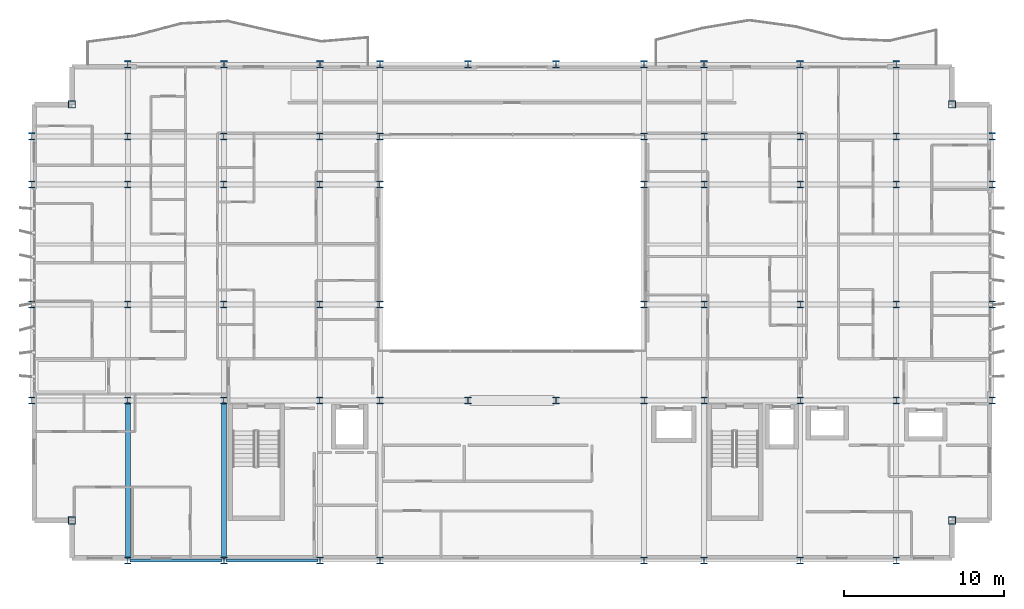
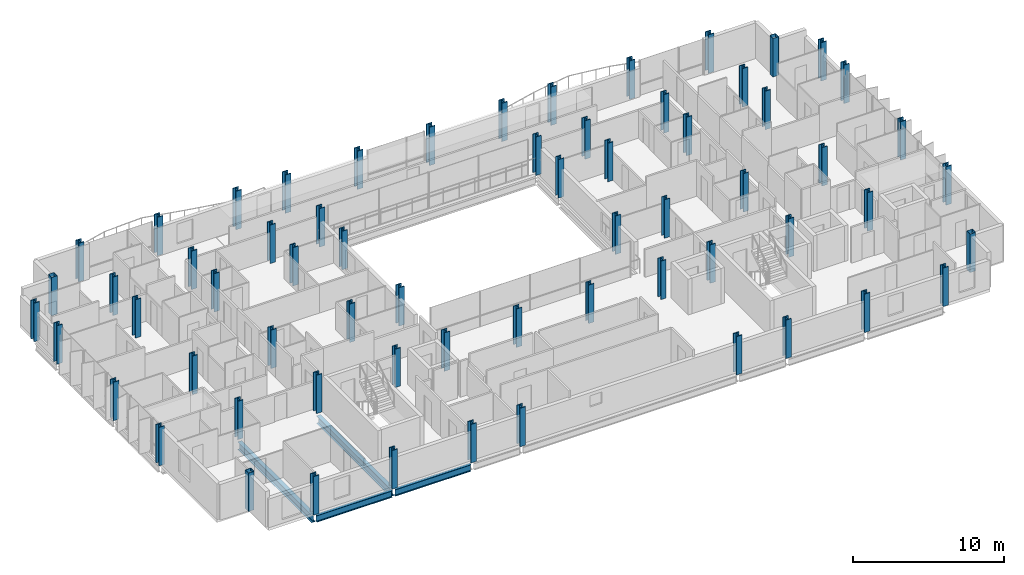
# One storey, part 1 of 39: 64 columns, 4 beams.
"""IFC4 building model written with IfcOpenShell, lengths in metres."""

from ifc_helpers import new_model, si_unit, direction, frame, origin, origin_2d, place, context, subcontext, project, spatial, hollow_rectangle, i_section, extrude, material, material_profile, profile_set, type_object, element, save


model = new_model("IFC4")

# Units and contexts
model_context = context("Model", 3, precision=1e-05, world=origin(), true_north=direction((0.0, 1.0)))
body_context = subcontext(model_context, "Body", "Model", "MODEL_VIEW")
ifc_project = project(units=[si_unit("LENGTHUNIT", "METRE"), si_unit("AREAUNIT", "SQUARE_METRE"), si_unit("VOLUMEUNIT", "CUBIC_METRE"), si_unit("PLANEANGLEUNIT", "RADIAN"), si_unit("MASSUNIT", "GRAM", prefix="KILO")], contexts=[model_context])

# Site, building, storey
site_placement = place(None, origin())
site = spatial("IfcSite", under=ifc_project, at=site_placement, CompositionType="ELEMENT")
building_placement = place(site_placement, origin())
building = spatial("IfcBuilding", under=site, at=building_placement, Name="Brevholm Reach", CompositionType="ELEMENT")
storey_placement = place(building_placement, frame((0.0, 0.0, 90.0)))
storey = spatial("IfcBuildingStorey", under=building, at=storey_placement, Name="L26", CompositionType="ELEMENT", Elevation=90.0)

# Columns
ifc_material_1 = material(Name="Structural Steel S460NH", Category="steel")
ifc_material_profile_1 = material_profile(ifc_material_1, hollow_rectangle(XDim=0.449951171875, YDim=0.449951171875, WallThickness=0.02490234375, InnerFilletRadius=0.011962890625, OuterFilletRadius=0.02392578125, at=origin_2d()), Name="SHS 450x450x25")
ifc_profile_set_1 = profile_set([ifc_material_profile_1], Name="Structural Steel S460NH")
column_type_1 = type_object("IfcColumnType", Name="COL-SHS1", PredefinedType="COLUMN", material=ifc_profile_set_1)
for number, where, z_axis, x_axis, name in (
    (1, (2.5, 2.5, 0.0), (0.0, 0.0, 1.0), (1.0, 0.0, 0.0), "L26 Column 05"),
    (2, (2.5, 28.5, 0.0), (0.0, 0.0, 1.0), (1.0, 0.0, 0.0), "L26 Column 06"),
    (3, (57.5, 2.5, 0.0), (0.0, 0.0, 1.0), (1.0, 0.0, 0.0), "L26 Column 59"),
    (4, (57.5, 28.5, 0.0), (0.0, 0.0, 1.0), (1.0, 0.0, 0.0), "L26 Column 60"),
):
    element("IfcColumn", number, at=place(storey_placement, frame(where, z_axis=z_axis, x_axis=x_axis)), inside=storey, type_object=column_type_1, Name=name, PredefinedType="COLUMN", context=body_context, shape_type="SweptSolid", body=[
        extrude(hollow_rectangle(XDim=0.449951171875, YDim=0.449951171875, WallThickness=0.02490234375, InnerFilletRadius=0.011962890625, OuterFilletRadius=0.02392578125, at=origin_2d()), origin(), (0.0, 0.0, 1.0), 3.10009765625),
    ])
ifc_material_2 = material(Name="Structural Steel S460ML", Category="steel")
ifc_material_profile_2 = material_profile(ifc_material_2, i_section(OverallWidth=0.41845703125, OverallDepth=0.45556640625, WebThickness=0.0419921875, FlangeThickness=0.0673828125, FilletRadius=0.01513671875, at=origin_2d()), Name="UKC 356x406x551")
ifc_profile_set_2 = profile_set([ifc_material_profile_2], Name="Structural Steel S460ML")
column_type_2 = type_object("IfcColumnType", Name="COL-UC2", PredefinedType="COLUMN", material=ifc_profile_set_2)
for number, where, z_axis, x_axis, name in (
    (5, (0.0, 10.0, 0.0), (0.0, 0.0, 1.0), (1.0, 0.0, 0.0), "L26 Column 01"),
    (6, (0.0, 16.0, 0.0), (0.0, 0.0, 1.0), (1.0, 0.0, 0.0), "L26 Column 02"),
    (7, (0.0, 23.5, 0.0), (0.0, 0.0, 1.0), (1.0, 0.0, 0.0), "L26 Column 03"),
    (8, (0.0, 26.5, 0.0), (0.0, 0.0, 1.0), (1.0, 0.0, 0.0), "L26 Column 04"),
    (9, (6.0, 0.0, 0.0), (0.0, 0.0, 1.0), (1.0, 0.0, 0.0), "L26 Column 07"),
    (10, (6.0, 31.0, 0.0), (0.0, 0.0, 1.0), (1.0, 0.0, 0.0), "L26 Column 12"),
    (11, (12.0, 0.0, 0.0), (0.0, 0.0, 1.0), (1.0, 0.0, 0.0), "L26 Column 13"),
    (12, (12.0, 31.0, 0.0), (0.0, 0.0, 1.0), (1.0, 0.0, 0.0), "L26 Column 18"),
    (13, (18.0, 0.0, 0.0), (0.0, 0.0, 1.0), (1.0, 0.0, 0.0), "L26 Column 19"),
    (14, (18.0, 31.0, 0.0), (0.0, 0.0, 1.0), (1.0, 0.0, 0.0), "L26 Column 24"),
    (15, (21.75, 0.0, 0.0), (0.0, 0.0, 1.0), (1.0, 0.0, 0.0), "L26 Column 25"),
    (16, (21.75, 31.0, 0.0), (0.0, 0.0, 1.0), (1.0, 0.0, 0.0), "L26 Column 30"),
    (17, (27.25, 31.0, 0.0), (0.0, 0.0, 1.0), (1.0, 0.0, 0.0), "L26 Column 32"),
    (18, (32.75, 31.0, 0.0), (0.0, 0.0, 1.0), (1.0, 0.0, 0.0), "L26 Column 34"),
    (19, (38.25, 0.0, 0.0), (0.0, 0.0, 1.0), (1.0, 0.0, 0.0), "L26 Column 35"),
    (20, (38.25, 31.0, 0.0), (0.0, 0.0, 1.0), (1.0, 0.0, 0.0), "L26 Column 40"),
    (21, (42.0, 0.0, 0.0), (0.0, 0.0, 1.0), (1.0, 0.0, 0.0), "L26 Column 41"),
    (22, (42.0, 31.0, 0.0), (0.0, 0.0, 1.0), (1.0, 0.0, 0.0), "L26 Column 46"),
    (23, (48.0, 0.0, 0.0), (0.0, 0.0, 1.0), (1.0, 0.0, 0.0), "L26 Column 47"),
    (24, (48.0, 31.0, 0.0), (0.0, 0.0, 1.0), (1.0, 0.0, 0.0), "L26 Column 52"),
    (25, (54.0, 0.0, 0.0), (0.0, 0.0, 1.0), (1.0, 0.0, 0.0), "L26 Column 53"),
    (26, (54.0, 31.0, 0.0), (0.0, 0.0, 1.0), (1.0, 0.0, 0.0), "L26 Column 58"),
    (27, (60.0, 10.0, 0.0), (0.0, 0.0, 1.0), (1.0, 0.0, 0.0), "L26 Column 61"),
    (28, (60.0, 16.0, 0.0), (0.0, 0.0, 1.0), (1.0, 0.0, 0.0), "L26 Column 62"),
    (29, (60.0, 23.5, 0.0), (0.0, 0.0, 1.0), (1.0, 0.0, 0.0), "L26 Column 63"),
    (30, (60.0, 26.5, 0.0), (0.0, 0.0, 1.0), (1.0, 0.0, 0.0), "L26 Column 64"),
):
    element("IfcColumn", number, at=place(storey_placement, frame(where, z_axis=z_axis, x_axis=x_axis)), inside=storey, type_object=column_type_2, Name=name, PredefinedType="COLUMN", context=body_context, shape_type="SweptSolid", body=[
        extrude(i_section(OverallWidth=0.41845703125, OverallDepth=0.45556640625, WebThickness=0.0419921875, FlangeThickness=0.0673828125, FilletRadius=0.01513671875, at=origin_2d()), origin(), (0.0, 0.0, 1.0), 3.10009765625),
    ])
ifc_material_3 = material(Name="Structural Steel S460ML", Category="steel")
ifc_material_profile_3 = material_profile(ifc_material_3, i_section(OverallWidth=0.412109375, OverallDepth=0.4365234375, WebThickness=0.035888671875, FlangeThickness=0.05810546875, FilletRadius=0.01513671875, at=origin_2d()), Name="UKC 356x406x467")
ifc_profile_set_3 = profile_set([ifc_material_profile_3], Name="Structural Steel S460ML")
column_type_3 = type_object("IfcColumnType", Name="COL-UC3", PredefinedType="COLUMN", material=ifc_profile_set_3)
for number, where, z_axis, x_axis, name in (
    (31, (6.0, 10.0, 0.0), (0.0, 0.0, 1.0), (1.0, 0.0, 0.0), "L26 Column 08"),
    (32, (6.0, 16.0, 0.0), (0.0, 0.0, 1.0), (1.0, 0.0, 0.0), "L26 Column 09"),
    (33, (6.0, 23.5, 0.0), (0.0, 0.0, 1.0), (1.0, 0.0, 0.0), "L26 Column 10"),
    (34, (6.0, 26.5, 0.0), (0.0, 0.0, 1.0), (1.0, 0.0, 0.0), "L26 Column 11"),
    (35, (12.0, 10.0, 0.0), (0.0, 0.0, 1.0), (1.0, 0.0, 0.0), "L26 Column 14"),
    (36, (12.0, 16.0, 0.0), (0.0, 0.0, 1.0), (1.0, 0.0, 0.0), "L26 Column 15"),
    (37, (12.0, 23.5, 0.0), (0.0, 0.0, 1.0), (1.0, 0.0, 0.0), "L26 Column 16"),
    (38, (12.0, 26.5, 0.0), (0.0, 0.0, 1.0), (1.0, 0.0, 0.0), "L26 Column 17"),
    (39, (18.0, 10.0, 0.0), (0.0, 0.0, 1.0), (1.0, 0.0, 0.0), "L26 Column 20"),
    (40, (18.0, 16.0, 0.0), (0.0, 0.0, 1.0), (1.0, 0.0, 0.0), "L26 Column 21"),
    (41, (18.0, 23.5, 0.0), (0.0, 0.0, 1.0), (1.0, 0.0, 0.0), "L26 Column 22"),
    (42, (18.0, 26.5, 0.0), (0.0, 0.0, 1.0), (1.0, 0.0, 0.0), "L26 Column 23"),
    (43, (21.75, 10.0, 0.0), (0.0, 0.0, 1.0), (1.0, 0.0, 0.0), "L26 Column 26"),
    (44, (21.75, 16.0, 0.0), (0.0, 0.0, 1.0), (1.0, 0.0, 0.0), "L26 Column 27"),
    (45, (21.75, 23.5, 0.0), (0.0, 0.0, 1.0), (1.0, 0.0, 0.0), "L26 Column 28"),
    (46, (21.75, 26.5, 0.0), (0.0, 0.0, 1.0), (1.0, 0.0, 0.0), "L26 Column 29"),
    (47, (27.25, 10.0, 0.0), (0.0, 0.0, 1.0), (1.0, 0.0, 0.0), "L26 Column 31"),
    (48, (32.75, 10.0, 0.0), (0.0, 0.0, 1.0), (1.0, 0.0, 0.0), "L26 Column 33"),
    (49, (38.25, 10.0, 0.0), (0.0, 0.0, 1.0), (1.0, 0.0, 0.0), "L26 Column 36"),
    (50, (38.25, 16.0, 0.0), (0.0, 0.0, 1.0), (1.0, 0.0, 0.0), "L26 Column 37"),
    (51, (38.25, 23.5, 0.0), (0.0, 0.0, 1.0), (1.0, 0.0, 0.0), "L26 Column 38"),
    (52, (38.25, 26.5, 0.0), (0.0, 0.0, 1.0), (1.0, 0.0, 0.0), "L26 Column 39"),
    (53, (42.0, 10.0, 0.0), (0.0, 0.0, 1.0), (1.0, 0.0, 0.0), "L26 Column 42"),
    (54, (42.0, 16.0, 0.0), (0.0, 0.0, 1.0), (1.0, 0.0, 0.0), "L26 Column 43"),
    (55, (42.0, 23.5, 0.0), (0.0, 0.0, 1.0), (1.0, 0.0, 0.0), "L26 Column 44"),
    (56, (42.0, 26.5, 0.0), (0.0, 0.0, 1.0), (1.0, 0.0, 0.0), "L26 Column 45"),
    (57, (48.0, 10.0, 0.0), (0.0, 0.0, 1.0), (1.0, 0.0, 0.0), "L26 Column 48"),
    (58, (48.0, 16.0, 0.0), (0.0, 0.0, 1.0), (1.0, 0.0, 0.0), "L26 Column 49"),
    (59, (48.0, 23.5, 0.0), (0.0, 0.0, 1.0), (1.0, 0.0, 0.0), "L26 Column 50"),
    (60, (48.0, 26.5, 0.0), (0.0, 0.0, 1.0), (1.0, 0.0, 0.0), "L26 Column 51"),
    (61, (54.0, 10.0, 0.0), (0.0, 0.0, 1.0), (1.0, 0.0, 0.0), "L26 Column 54"),
    (62, (54.0, 16.0, 0.0), (0.0, 0.0, 1.0), (1.0, 0.0, 0.0), "L26 Column 55"),
    (63, (54.0, 23.5, 0.0), (0.0, 0.0, 1.0), (1.0, 0.0, 0.0), "L26 Column 56"),
    (64, (54.0, 26.5, 0.0), (0.0, 0.0, 1.0), (1.0, 0.0, 0.0), "L26 Column 57"),
):
    element("IfcColumn", number, at=place(storey_placement, frame(where, z_axis=z_axis, x_axis=x_axis)), inside=storey, type_object=column_type_3, Name=name, PredefinedType="COLUMN", context=body_context, shape_type="SweptSolid", body=[
        extrude(i_section(OverallWidth=0.412109375, OverallDepth=0.4365234375, WebThickness=0.035888671875, FlangeThickness=0.05810546875, FilletRadius=0.01513671875, at=origin_2d()), origin(), (0.0, 0.0, 1.0), 3.10009765625),
    ])

# Beams
ifc_material_4 = material(Name="Structural Steel S355J2", Category="steel")
ifc_material_profile_4 = material_profile(ifc_material_4, i_section(OverallWidth=0.210693359375, OverallDepth=0.53955078125, WebThickness=0.01171875, FlangeThickness=0.018798828125, FilletRadius=0.0126953125, at=origin_2d()), Name="UKB 533x210x109")
ifc_profile_set_4 = profile_set([ifc_material_profile_4], Name="Structural Steel S355J2")
beam_type_1 = type_object("IfcBeamType", Name="BM-SP539", PredefinedType="SPANDREL", material=ifc_profile_set_4)
for number, where, z_axis, x_axis, name in (
    (65, (6.1201171875, 0.0, -0.499755859375), (1.0, 0.0, 0.0), (0.0, 1.0, 0.0), "L26 SP-01B Framing Beam"),
    (66, (12.1201171875, 0.0, -0.499755859375), (1.0, 0.0, 0.0), (0.0, 1.0, 0.0), "L26 SP-01B Framing Beam"),
):
    element("IfcBeam", number, at=place(storey_placement, frame(where, z_axis=z_axis, x_axis=x_axis)), inside=storey, type_object=beam_type_1, Name=name, PredefinedType="SPANDREL", context=body_context, shape_type="SweptSolid", body=[
        extrude(i_section(OverallWidth=0.210693359375, OverallDepth=0.53955078125, WebThickness=0.01171875, FlangeThickness=0.018798828125, FilletRadius=0.0126953125, at=origin_2d()), origin(), (0.0, 0.0, 1.0), 5.759765625),
    ])
ifc_material_5 = material(Name="Structural Steel S355J2", Category="steel")
ifc_material_profile_5 = material_profile(ifc_material_5, i_section(OverallWidth=0.30712890625, OverallDepth=0.6201171875, WebThickness=0.01416015625, FlangeThickness=0.023681640625, FilletRadius=0.0166015625, at=origin_2d()), Name="UKB 610x305x179")
ifc_profile_set_5 = profile_set([ifc_material_profile_5], Name="Structural Steel S355J2")
beam_type_2 = type_object("IfcBeamType", Name="BM-UKB610H", PredefinedType="USERDEFINED", material=ifc_profile_set_5)
for number, where, z_axis, x_axis, name in (
    (67, (6.0, 0.1201171875, -0.5400390625), (0.0, 1.0, 0.0), (-1.0, 0.0, 0.0), "L26 G-06 Framing Beam"),
    (68, (12.0, 0.1201171875, -0.5400390625), (0.0, 1.0, 0.0), (-1.0, 0.0, 0.0), "L26 G-06 Framing Beam"),
):
    element("IfcBeam", number, at=place(storey_placement, frame(where, z_axis=z_axis, x_axis=x_axis)), inside=storey, type_object=beam_type_2, Name=name, ObjectType="GIRDER", PredefinedType="USERDEFINED", context=body_context, shape_type="SweptSolid", body=[
        extrude(i_section(OverallWidth=0.30712890625, OverallDepth=0.6201171875, WebThickness=0.01416015625, FlangeThickness=0.023681640625, FilletRadius=0.0166015625, at=origin_2d()), origin(), (0.0, 0.0, 1.0), 9.759765625),
    ])

save(model, "model.ifc")
